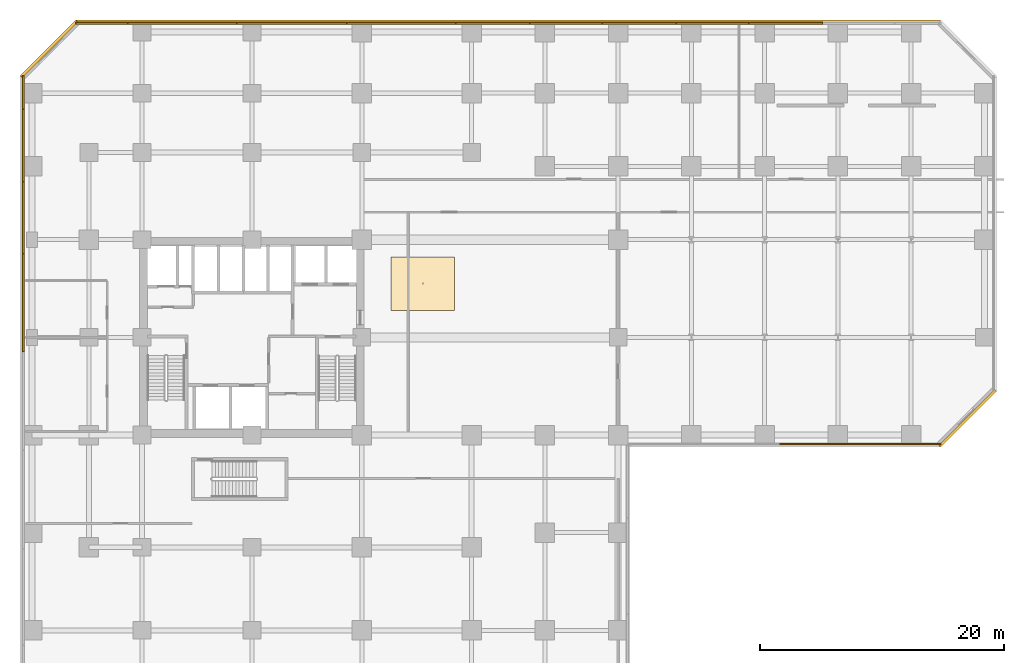
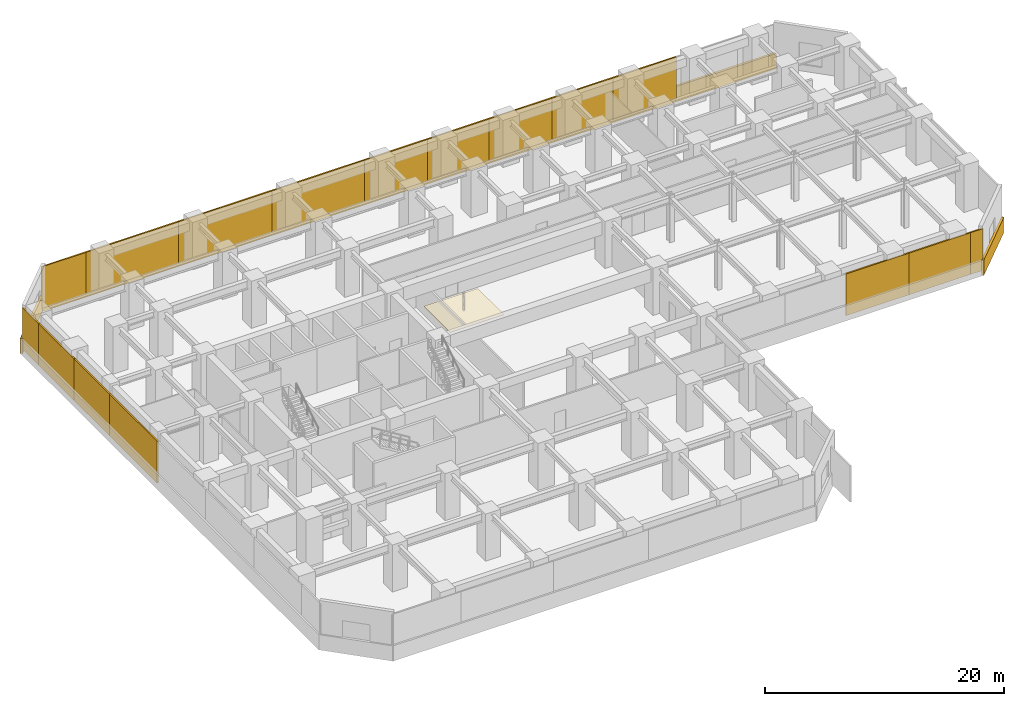
# One storey, part 11 of 12: 20 coverings.
"""IFC4 building model written with IfcOpenShell, lengths in metres."""

from ifc_helpers import new_model, si_unit, direction, frame, origin, origin_2d, place, context, subcontext, project, spatial, polyline, rectangle, outline, extrude, source, transform, mapped, material, layer, layer_set, type_object, element, save


model = new_model("IFC4")

# Units and contexts
model_context = context("Model", 3, precision=1e-05, world=origin(), true_north=direction((0.0, 1.0)))
body_context = subcontext(model_context, "Body", "Model", "MODEL_VIEW")
ifc_project = project(units=[si_unit("LENGTHUNIT", "METRE"), si_unit("AREAUNIT", "SQUARE_METRE"), si_unit("VOLUMEUNIT", "CUBIC_METRE"), si_unit("PLANEANGLEUNIT", "RADIAN"), si_unit("MASSUNIT", "GRAM", prefix="KILO")], contexts=[model_context])

# Site, building, storey
site_placement = place(None, origin())
site = spatial("IfcSite", under=ifc_project, at=site_placement, CompositionType="ELEMENT")
building_placement = place(site_placement, origin())
building = spatial("IfcBuilding", under=site, at=building_placement, Name="Torre Montelarca", CompositionType="ELEMENT")
storey_placement = place(building_placement, frame((0.0, 0.0, 17.39990234375)))
storey = spatial("IfcBuildingStorey", under=building, at=storey_placement, Name="L04", CompositionType="ELEMENT", Elevation=17.39990234375)

# Coverings
ifc_material_1 = material(Name="Micro-perforated walnut timber acoustic slat", Category="wood")
ifc_layer_1 = layer(ifc_material_1, 0.050048828125, Name="Micro-perforated walnut timber acoustic slat", Category="wood")
ifc_layer_set_1 = layer_set([ifc_layer_1], Name="Micro-perforated walnut timber acoustic slat")
covering_type_1 = type_object("IfcCoveringType", Name="COV-CEIL-WD2", PredefinedType="CEILING", material=ifc_layer_set_1)
covering_1_placement = place(storey_placement, frame((0.0, 0.0, 2.72021484375)))
element("IfcCovering", 1, at=covering_1_placement, inside=storey, type_object=covering_type_1, Name="L04 Acoustic Suspended Ceiling 01", PredefinedType="CEILING", context=body_context, shape_type="SweptSolid", body=[
    extrude(outline(polyline([(29.39990234375, 34.199951171875), (34.60009765625, 34.199951171875), (34.60009765625, 38.60009765625), (29.39990234375, 38.60009765625), (29.39990234375, 34.199951171875)])), origin(), (0.0, 0.0, 1.0), 0.0498046875),
])
ifc_material_2 = material(Name="Bush-hammered warm white precast concrete C45/55", Category="concrete")
ifc_layer_2 = layer(ifc_material_2, 0.139892578125, Name="Bush-hammered warm white precast concrete C45/55", Category="concrete")
ifc_layer_set_2 = layer_set([ifc_layer_2], Name="Bush-hammered warm white precast concrete C45/55")
covering_type_2 = type_object("IfcCoveringType", Name="COV-TRAY-CLAD", PredefinedType="CLADDING", material=ifc_layer_set_2)
shared_shape_1 = source(origin(), body_context, "Body", "SweptSolid", [
    extrude(rectangle(XDim=6.48388671875, YDim=0.219970703125, at=origin_2d()), origin(), (0.0, 0.0, 1.0), 1.56005859375),
])
for number, where, z_axis, x_axis, name in (
    (2, (76.62890625, 25.37109375, -0.39990234375), (0.0, 0.0, 1.0), (0.707106781187, 0.707106781187, 0.0), "L04 Architectural White Spandrel Tray Band PODBOT-05"),
    (3, (1.37109375, 55.62890625, -0.39990234375), (0.0, 0.0, 1.0), (-0.707106781187, -0.707106781187, 0.0), "L04 Architectural White Spandrel Tray Band PODBOT-09"),
):
    element("IfcCovering", number, at=place(storey_placement, frame(where, z_axis=z_axis, x_axis=x_axis)), inside=storey, type_object=covering_type_2, Name=name, PredefinedType="CLADDING", context=body_context, shape_type="MappedRepresentation", body=[
        mapped(shared_shape_1, transform((0.0, 0.0, 0.0), scale=1.0)),
    ])
shared_shape_2 = source(origin(), body_context, "Body", "SweptSolid", [
    extrude(rectangle(XDim=70.919921875, YDim=0.219970703125, at=origin_2d()), origin(), (0.0, 0.0, 1.0), 1.56005859375),
])
covering_2_placement = place(storey_placement, frame((39.0, 57.8701171875, -0.39990234375), z_axis=(0.0, 0.0, 1.0), x_axis=(-1.0, 0.0, 0.0)))
element("IfcCovering", 4, at=covering_2_placement, inside=storey, type_object=covering_type_2, Name="L04 Architectural White Spandrel Tray Band PODBOT-08", PredefinedType="CLADDING", context=body_context, shape_type="MappedRepresentation", body=[
    mapped(shared_shape_2, transform((0.0, 0.0, 0.0), scale=1.0)),
])
shared_shape_3 = source(origin(), body_context, "Body", "SweptSolid", [
    extrude(rectangle(XDim=9.080078125, YDim=0.139892578125, at=origin_2d()), origin(), (0.0, 0.0, 1.0), 4.25),
])
for number, where, z_axis, x_axis, name in (
    (5, (30.219970703125, 57.739990234375, 0.0), (0.0, 0.0, 1.0), (-1.0, 0.0, 0.0), "L04 Architectural Column Pier Cladding E08-9"),
    (6, (12.294921875, 57.739990234375, 0.0), (0.0, 0.0, 1.0), (-1.0, 0.0, 0.0), "L04 Architectural Column Pier Cladding E08-11"),
):
    element("IfcCovering", number, at=place(storey_placement, frame(where, z_axis=z_axis, x_axis=x_axis)), inside=storey, type_object=covering_type_2, Name=name, PredefinedType="CLADDING", context=body_context, shape_type="MappedRepresentation", body=[
        mapped(shared_shape_3, transform((0.0, 0.0, 0.0), scale=1.0)),
    ])
shared_shape_4 = source(origin(), body_context, "Body", "SweptSolid", [
    extrude(rectangle(XDim=6.080078125, YDim=0.139892578125, at=origin_2d()), origin(), (0.0, 0.0, 1.0), 4.25),
])
for number, where, z_axis, x_axis, name in (
    (7, (64.280029296875, 23.260009765625, 0.0), (0.0, 0.0, 1.0), (1.0, 0.0, 0.0), "L04 Architectural Column Pier Cladding E04-4"),
    (8, (70.280029296875, 23.260009765625, 0.0), (0.0, 0.0, 1.0), (1.0, 0.0, 0.0), "L04 Architectural Column Pier Cladding E04-5"),
    (9, (61.719970703125, 57.739990234375, 0.0), (0.0, 0.0, 1.0), (-1.0, 0.0, 0.0), "L04 Architectural Column Pier Cladding E08-4"),
    (10, (55.719970703125, 57.739990234375, 0.0), (0.0, 0.0, 1.0), (-1.0, 0.0, 0.0), "L04 Architectural Column Pier Cladding E08-5"),
    (11, (49.719970703125, 57.739990234375, 0.0), (0.0, 0.0, 1.0), (-1.0, 0.0, 0.0), "L04 Architectural Column Pier Cladding E08-6"),
    (12, (43.719970703125, 57.739990234375, 0.0), (0.0, 0.0, 1.0), (-1.0, 0.0, 0.0), "L04 Architectural Column Pier Cladding E08-7"),
    (13, (37.719970703125, 57.739990234375, 0.0), (0.0, 0.0, 1.0), (-1.0, 0.0, 0.0), "L04 Architectural Column Pier Cladding E08-8"),
    (14, (-0.739990234375, 47.719970703125, 0.0), (0.0, 0.0, 1.0), (0.0, -1.0, 0.0), "L04 Architectural Column Pier Cladding E10-2"),
):
    element("IfcCovering", number, at=place(storey_placement, frame(where, z_axis=z_axis, x_axis=x_axis)), inside=storey, type_object=covering_type_2, Name=name, PredefinedType="CLADDING", context=body_context, shape_type="MappedRepresentation", body=[
        mapped(shared_shape_4, transform((0.0, 0.0, 0.0), scale=1.0)),
    ])
shared_shape_5 = source(origin(), body_context, "Body", "SweptSolid", [
    extrude(rectangle(XDim=1.199951171875, YDim=0.139892578125, at=origin_2d()), origin(), (0.0, 0.0, 1.0), 4.25),
])
covering_3_placement = place(storey_placement, frame((73.840087890625, 23.260009765625, 0.0), z_axis=(0.0, 0.0, 1.0), x_axis=(1.0, 0.0, 0.0)))
element("IfcCovering", 15, at=covering_3_placement, inside=storey, type_object=covering_type_2, Name="L04 Architectural Column Pier Cladding E04-6", PredefinedType="CLADDING", context=body_context, shape_type="MappedRepresentation", body=[
    mapped(shared_shape_5, transform((0.0, 0.0, 0.0), scale=1.0)),
])
shared_shape_6 = source(origin(), body_context, "Body", "SweptSolid", [
    extrude(rectangle(XDim=8.080078125, YDim=0.139892578125, at=origin_2d()), origin(), (0.0, 0.0, 1.0), 4.25),
])
covering_4_placement = place(storey_placement, frame((-0.739990234375, 34.8701171875, 0.0), z_axis=(0.0, 0.0, 1.0), x_axis=(0.0, -1.0, 0.0)))
element("IfcCovering", 16, at=covering_4_placement, inside=storey, type_object=covering_type_2, Name="L04 Architectural Column Pier Cladding E10-4", PredefinedType="CLADDING", context=body_context, shape_type="MappedRepresentation", body=[
    mapped(shared_shape_6, transform((0.0, 0.0, 0.0), scale=1.0)),
])
shared_shape_7 = source(origin(), body_context, "Body", "SweptSolid", [
    extrude(rectangle(XDim=9.0048828125, YDim=0.139892578125, at=origin_2d()), origin(), (0.0, 0.0, 1.0), 4.25),
])
covering_5_placement = place(storey_placement, frame((21.257568359375, 57.739990234375, 0.0), z_axis=(0.0, 0.0, 1.0), x_axis=(-1.0, 0.0, 0.0)))
element("IfcCovering", 17, at=covering_5_placement, inside=storey, type_object=covering_type_2, Name="L04 Architectural Column Pier Cladding E08-10", PredefinedType="CLADDING", context=body_context, shape_type="MappedRepresentation", body=[
    mapped(shared_shape_7, transform((0.0, 0.0, 0.0), scale=1.0)),
])
shared_shape_8 = source(origin(), body_context, "Body", "SweptSolid", [
    extrude(rectangle(XDim=4.27490234375, YDim=0.139892578125, at=origin_2d()), origin(), (0.0, 0.0, 1.0), 4.25),
])
covering_6_placement = place(storey_placement, frame((5.697509765625, 57.739990234375, 0.0), z_axis=(0.0, 0.0, 1.0), x_axis=(-1.0, 0.0, 0.0)))
element("IfcCovering", 18, at=covering_6_placement, inside=storey, type_object=covering_type_2, Name="L04 Architectural Column Pier Cladding E08-12", PredefinedType="CLADDING", context=body_context, shape_type="MappedRepresentation", body=[
    mapped(shared_shape_8, transform((0.0, 0.0, 0.0), scale=1.0)),
])
shared_shape_9 = source(origin(), body_context, "Body", "SweptSolid", [
    extrude(rectangle(XDim=2.760009765625, YDim=0.139892578125, at=origin_2d()), origin(), (0.0, 0.0, 1.0), 4.25),
])
covering_7_placement = place(storey_placement, frame((-0.739990234375, 52.06005859375, 0.0), z_axis=(0.0, 0.0, 1.0), x_axis=(0.0, -1.0, 0.0)))
element("IfcCovering", 19, at=covering_7_placement, inside=storey, type_object=covering_type_2, Name="L04 Architectural Column Pier Cladding E10-1", PredefinedType="CLADDING", context=body_context, shape_type="MappedRepresentation", body=[
    mapped(shared_shape_9, transform((0.0, 0.0, 0.0), scale=1.0)),
])
shared_shape_10 = source(origin(), body_context, "Body", "SweptSolid", [
    extrude(rectangle(XDim=5.929931640625, YDim=0.139892578125, at=origin_2d()), origin(), (0.0, 0.0, 1.0), 4.25),
])
covering_8_placement = place(storey_placement, frame((-0.739990234375, 41.794921875, 0.0), z_axis=(0.0, 0.0, 1.0), x_axis=(0.0, -1.0, 0.0)))
element("IfcCovering", 20, at=covering_8_placement, inside=storey, type_object=covering_type_2, Name="L04 Architectural Column Pier Cladding E10-3", PredefinedType="CLADDING", context=body_context, shape_type="MappedRepresentation", body=[
    mapped(shared_shape_10, transform((0.0, 0.0, 0.0), scale=1.0)),
])

save(model, "model.ifc")
